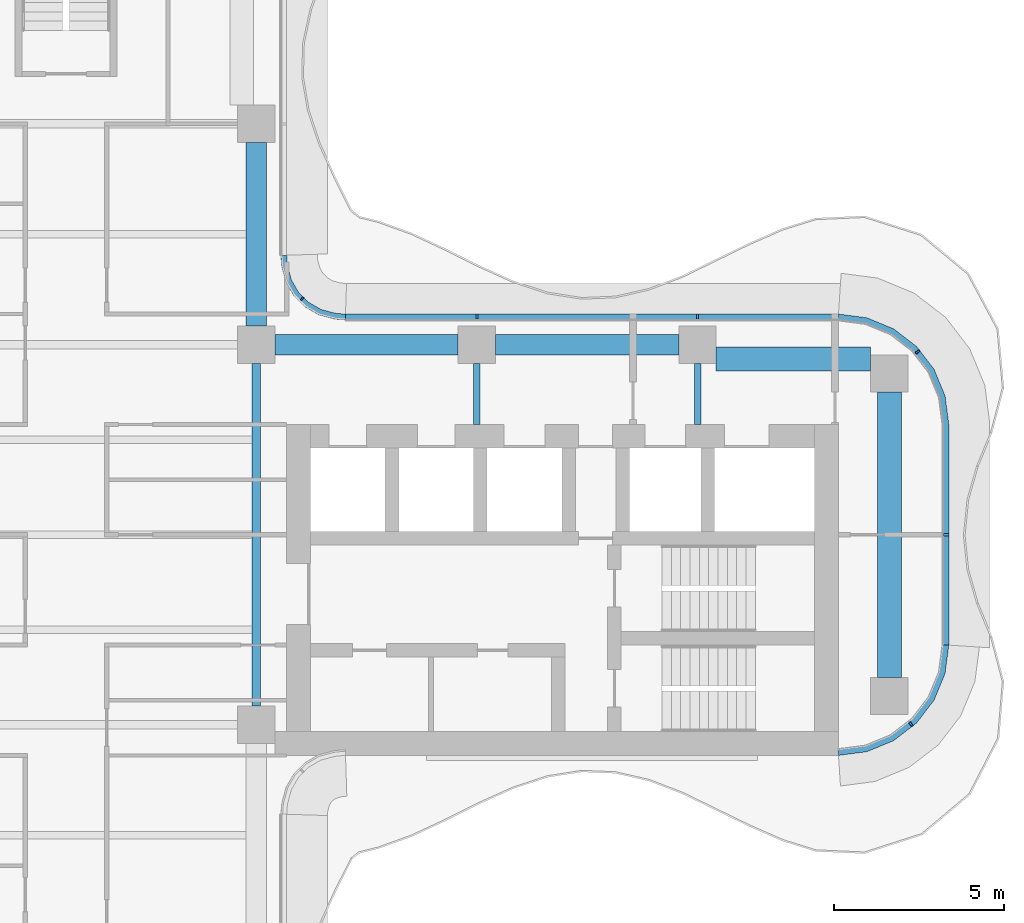
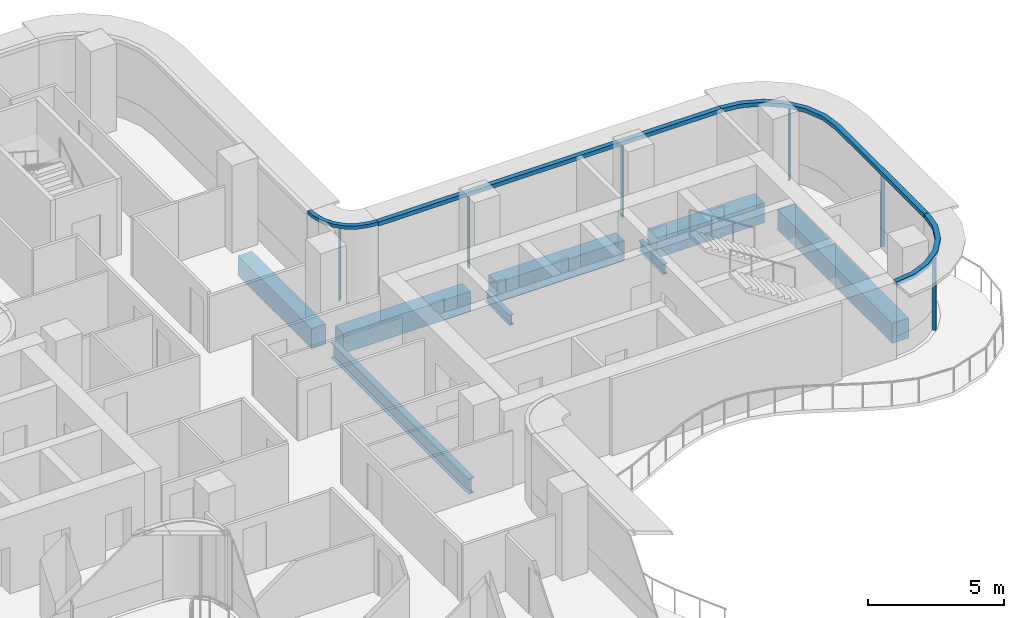
# One storey, part 6 of 16: 10 members, 8 beams, 4 elements without a shape of their own.
"""IFC4 building model written with IfcOpenShell, lengths in metres."""

import ifcopenshell
import ifcopenshell.guid

model = None  # the IFC model being written
_history = None  # IfcOwnerHistory: only IFC2X3 demands one
_inside = {}  # id of a spatial element -> (the spatial element, [elements in it])
_under = {}  # id of a project, library or spatial element -> (it, [spatial elements below it])
_declared = {}  # id of a project -> (the project, [libraries it declares])
_typed = {}  # id of a type object -> (the type object, [elements of that type])
_made_of = {}  # id of a material, layer set ... -> (it, [elements and type objects made of it])


def new_model(schema):
    """Start an empty IFC model of exactly this schema.

    Asked for "IFC4X3", IfcOpenShell would pick the latest addendum, in which some entities
    have other attributes; the version numbers below select the first issue.
    IFC2X3 requires an IfcOwnerHistory on every rooted entity: one is made here for all.
    """
    global model, _history
    if schema == "IFC4X3":
        model = ifcopenshell.file(schema_version=(4, 3, 0, 0))
    else:
        model = ifcopenshell.file(schema=schema)
    _inside.clear()
    _under.clear()
    _declared.clear()
    _typed.clear()
    _made_of.clear()
    _history = None
    if model.schema == "IFC2X3":
        org = make("IfcOrganization", Name="unknown")
        user = make(
            "IfcPersonAndOrganization",
            ThePerson=make("IfcPerson", FamilyName="unknown"),
            TheOrganization=org,
        )
        app = make(
            "IfcApplication",
            ApplicationDeveloper=org,
            Version="unknown",
            ApplicationFullName="unknown",
            ApplicationIdentifier="unknown",
        )
        _history = make(
            "IfcOwnerHistory",
            OwningUser=user,
            OwningApplication=app,
            ChangeAction="ADDED",
            CreationDate=0,
        )
    return model


def make(cls, **values):
    """One entity of the class cls with the attributes given. An attribute that is None is left unset."""
    return model.create_entity(
        cls, **{name: value for name, value in values.items() if value is not None}
    )


def rooted(cls, **values):
    """An entity with a GlobalId (a new one), such as an element, a storey or a relation."""
    return make(cls, GlobalId=ifcopenshell.guid.new(), OwnerHistory=_history, **values)


def si_unit(unit_type, name, prefix=None):
    """IfcSIUnit, for example si_unit("LENGTHUNIT", "METRE", prefix="MILLI")."""
    return make("IfcSIUnit", UnitType=unit_type, Prefix=prefix, Name=name)


def assignment(units):
    """IfcUnitAssignment: the units of a project."""
    return None if units is None else make("IfcUnitAssignment", Units=units)


def point(xyz):
    """IfcCartesianPoint."""
    return None if xyz is None else make("IfcCartesianPoint", Coordinates=xyz)


def direction(xyz):
    """IfcDirection."""
    return None if xyz is None else make("IfcDirection", DirectionRatios=xyz)


def frame(location, z_axis=None, x_axis=None):
    """IfcAxis2Placement3D, a coordinate frame: its origin and axes. An axis left out is left unset."""
    return make(
        "IfcAxis2Placement3D",
        Location=point(location),
        Axis=direction(z_axis),
        RefDirection=direction(x_axis),
    )


def frame_2d(location, x_axis=None):
    """IfcAxis2Placement2D, a coordinate frame in the plane: its origin and x axis."""
    return make(
        "IfcAxis2Placement2D", Location=point(location), RefDirection=direction(x_axis)
    )


def origin():
    """The frame at (0, 0, 0) with its axes left unset."""
    return frame((0.0, 0.0, 0.0))


def origin_2d():
    """The frame at (0, 0) in the plane with its x axis left unset."""
    return frame_2d((0.0, 0.0))


def place(relative_to, where):
    """IfcLocalPlacement: puts the frame where relative to a parent placement (None: the world)."""
    return make(
        "IfcLocalPlacement", PlacementRelTo=relative_to, RelativePlacement=where
    )


def context(
    kind, dimensions, precision=None, world=None, true_north=None, identifier=None
):
    """IfcGeometricRepresentationContext, for example the 3D "Model" context."""
    return make(
        "IfcGeometricRepresentationContext",
        ContextIdentifier=identifier,
        ContextType=kind,
        CoordinateSpaceDimension=dimensions,
        Precision=precision,
        WorldCoordinateSystem=world,
        TrueNorth=true_north,
    )


def subcontext(parent, identifier, kind, view, scale=None):
    """IfcGeometricRepresentationSubContext, for example "Body" below "Model"."""
    return make(
        "IfcGeometricRepresentationSubContext",
        ContextIdentifier=identifier,
        ContextType=kind,
        ParentContext=parent,
        TargetScale=scale,
        TargetView=view,
    )


def project(units=None, contexts=None):
    """IfcProject with its units and contexts."""
    return rooted(
        "IfcProject",
        Name="project",
        RepresentationContexts=contexts,
        UnitsInContext=assignment(units),
    )


def spatial(cls, under=None, at=None, **own):
    """A site, building, storey or space (cls), placed at a placement, below another one or the project."""
    s = rooted(cls, ObjectPlacement=at, **own)
    if under is not None:
        _under.setdefault(under.id(), (under, []))[1].append(s)
    return s


def polyline(points):
    """IfcPolyline through the points."""
    return make("IfcPolyline", Points=[point(p) for p in points])


def profile(cls, at=None, kind="AREA", **sizes):
    """A parametric profile (cls). Its sizes go by their IFC names, for example OverallWidth=200.0."""
    return make(cls, ProfileType=kind, Position=at, **sizes)


def rectangle(**sizes):
    """IfcRectangleProfileDef."""
    return profile("IfcRectangleProfileDef", **sizes)


def i_section(**sizes):
    """IfcIShapeProfileDef."""
    return profile("IfcIShapeProfileDef", **sizes)


def outline(outer, holes=None, kind="AREA"):
    """IfcArbitraryClosedProfileDef: a profile drawn as a closed curve; with holes, ...WithVoids."""
    if holes is None:
        return make("IfcArbitraryClosedProfileDef", ProfileType=kind, OuterCurve=outer)
    return make(
        "IfcArbitraryProfileDefWithVoids",
        ProfileType=kind,
        OuterCurve=outer,
        InnerCurves=holes,
    )


def extrude(swept, where, along, depth):
    """IfcExtrudedAreaSolid: the profile swept, set in the frame where, extruded along a direction by depth."""
    return make(
        "IfcExtrudedAreaSolid",
        SweptArea=swept,
        Position=where,
        ExtrudedDirection=direction(along),
        Depth=depth,
    )


def shape(context_of_items, identifier, shape_type, items):
    """IfcShapeRepresentation: the items that make up one representation, for example the "Body"."""
    return make(
        "IfcShapeRepresentation",
        ContextOfItems=context_of_items,
        RepresentationIdentifier=identifier,
        RepresentationType=shape_type,
        Items=items,
    )


def source(mapping_origin, context_of_items, identifier, shape_type, items):
    """IfcRepresentationMap: a shape defined once, which mapped items show again and again."""
    return make(
        "IfcRepresentationMap",
        MappingOrigin=mapping_origin,
        MappedRepresentation=shape(context_of_items, identifier, shape_type, items),
    )


def transform(
    local_origin,
    x_axis=None,
    y_axis=None,
    z_axis=None,
    scale=None,
    scale2=None,
    scale3=None,
    uniform=True,
):
    """IfcCartesianTransformationOperator3D, or its non-uniform kind. x_axis, y_axis, z_axis: its Axis1, 2, 3."""
    if uniform:
        return make(
            "IfcCartesianTransformationOperator3D",
            Axis1=direction(x_axis),
            Axis2=direction(y_axis),
            LocalOrigin=point(local_origin),
            Scale=scale,
            Axis3=direction(z_axis),
        )
    return make(
        "IfcCartesianTransformationOperator3DnonUniform",
        Axis1=direction(x_axis),
        Axis2=direction(y_axis),
        LocalOrigin=point(local_origin),
        Scale=scale,
        Axis3=direction(z_axis),
        Scale2=scale2,
        Scale3=scale3,
    )


def mapped(mapping_source, mapping_target):
    """IfcMappedItem: shows the shape of a source again, moved by a transform."""
    return make(
        "IfcMappedItem", MappingSource=mapping_source, MappingTarget=mapping_target
    )


def material(Name=None, Category=None):
    """IfcMaterial."""
    return make("IfcMaterial", Name=Name, Category=Category)


def layer(
    of_material, thickness, ventilated=None, Name=None, Category=None, Priority=None
):
    """IfcMaterialLayer: one layer of a wall or slab, of a material (None: an air gap)."""
    return make(
        "IfcMaterialLayer",
        Material=of_material,
        LayerThickness=thickness,
        IsVentilated=ventilated,
        Name=Name,
        Category=Category,
        Priority=Priority,
    )


def layer_set(layers, Name=None):
    """IfcMaterialLayerSet."""
    return make("IfcMaterialLayerSet", MaterialLayers=layers, LayerSetName=Name)


def material_profile(
    of_material, cross_section, Name=None, Category=None, Priority=None
):
    """IfcMaterialProfile: a cross section and its material."""
    return make(
        "IfcMaterialProfile",
        Name=Name,
        Material=of_material,
        Profile=cross_section,
        Priority=Priority,
        Category=Category,
    )


def profile_set(profiles, Name=None, composite=None):
    """IfcMaterialProfileSet."""
    return make(
        "IfcMaterialProfileSet",
        Name=Name,
        MaterialProfiles=profiles,
        CompositeProfile=composite,
    )


def made_of(thing, what):
    """Note that an element or type object is made of a material, layer set ...; save() writes the relation."""
    if what is not None:
        _made_of.setdefault(what.id(), (what, []))[1].append(thing)
    return thing


def type_object(cls, material=None, **own):
    """A type object (cls), such as IfcWallType, which elements share."""
    return made_of(rooted(cls, **own), material)


def element(
    cls,
    number,
    at=None,
    inside=None,
    cuts=None,
    type_object=None,
    material=None,
    context=None,
    identifier="Body",
    shape_type=None,
    held_by="IfcProductDefinitionShape",
    body=None,
    shapes=None,
    **own,
):
    """One element of the class cls, such as IfcWall. Its Tag is "e" and its number.

    at: its placement. inside: the storey or other place that contains it. cuts: it is an
    opening in that element (IfcRelVoidsElement). A single representation is given by context,
    identifier, shape_type and body (its items); several are given by shapes. held_by: the class
    of the entity that holds the representations. save() writes the other relations.
    """
    e = rooted(cls, Tag="e%d" % number, ObjectPlacement=at, **own)
    if body is not None:
        shapes = [shape(context, identifier, shape_type, body)]
    if shapes is not None:
        e.Representation = make(held_by, Representations=shapes)
    if inside is not None:
        _inside.setdefault(inside.id(), (inside, []))[1].append(e)
    if cuts is not None:
        rooted(
            "IfcRelVoidsElement", RelatingBuildingElement=cuts, RelatedOpeningElement=e
        )
    if type_object is not None:
        _typed.setdefault(type_object.id(), (type_object, []))[1].append(e)
    return made_of(e, material)


def aggregate(whole, parts):
    """IfcRelAggregates: a whole, such as a stair, and the parts it consists of."""
    return rooted("IfcRelAggregates", RelatingObject=whole, RelatedObjects=parts)


def save(model, path):
    """Write the relations noted so far, then the file.

    IfcRelAggregates (storeys below a building ...), IfcRelContainedInSpatialStructure (elements
    in a storey), IfcRelDefinesByType, IfcRelAssociatesMaterial and IfcRelDeclares: one each for
    every whole, place, type object, material and project.
    """
    for whole, parts in _under.values():
        aggregate(whole, parts)
    for where, things in _inside.values():
        rooted(
            "IfcRelContainedInSpatialStructure",
            RelatedElements=things,
            RelatingStructure=where,
        )
    for kind, things in _typed.values():
        rooted("IfcRelDefinesByType", RelatedObjects=things, RelatingType=kind)
    for what, things in _made_of.values():
        rooted("IfcRelAssociatesMaterial", RelatedObjects=things, RelatingMaterial=what)
    for by, libraries in _declared.values():
        rooted("IfcRelDeclares", RelatingContext=by, RelatedDefinitions=libraries)
    model.write(path)


model = new_model("IFC4")

# Units and contexts
model_context = context("Model", 3, precision=1e-05, world=origin(), true_north=direction((0.0, 1.0)))
body_context = subcontext(model_context, "Body", "Model", "MODEL_VIEW")
ifc_project = project(units=[si_unit("LENGTHUNIT", "METRE"), si_unit("AREAUNIT", "SQUARE_METRE"), si_unit("VOLUMEUNIT", "CUBIC_METRE"), si_unit("PLANEANGLEUNIT", "RADIAN"), si_unit("MASSUNIT", "GRAM", prefix="KILO")], contexts=[model_context])

# Site, building, storey
site_placement = place(None, origin())
site = spatial("IfcSite", under=ifc_project, at=site_placement, CompositionType="ELEMENT")
building_placement = place(site_placement, origin())
building = spatial("IfcBuilding", under=site, at=building_placement, Name="Trellis Farm Tower", CompositionType="ELEMENT")
storey_placement = place(building_placement, frame((0.0, 0.0, 267.5)))
storey = spatial("IfcBuildingStorey", under=building, at=storey_placement, Name="L60", CompositionType="ELEMENT", Elevation=267.5)

# Beams
ifc_material_1 = material(Name="Steel S355", Category="steel")
ifc_material_profile_1 = material_profile(ifc_material_1, i_section(OverallWidth=0.253662109375, OverallDepth=0.68359375, WebThickness=0.012451171875, FlangeThickness=0.021728515625, FilletRadius=0.01513671875, at=origin_2d()), Name="UB 686x254x140")
ifc_profile_set_1 = profile_set([ifc_material_profile_1], Name="Steel S355")
beam_type_1 = type_object("IfcBeamType", Name="UB 686x254x140", PredefinedType="BEAM", material=ifc_profile_set_1)
shared_shape_1 = source(origin(), body_context, "Body", "SweptSolid", [
    extrude(i_section(OverallWidth=0.253662109375, OverallDepth=0.68359375, WebThickness=0.012451171875, FlangeThickness=0.021728515625, FilletRadius=0.01513671875, at=origin_2d()), origin(), (0.0, 0.0, 1.0), 10.10009765625),
])
beam_1_placement = place(storey_placement, frame((5.60009765625, -5.050048828125, -0.541748046875), z_axis=(0.0, 1.0, 0.0), x_axis=(-1.0, 0.0, 0.0)))
element("IfcBeam", 1, at=beam_1_placement, inside=storey, type_object=beam_type_1, Name="Girder", PredefinedType="BEAM", context=body_context, shape_type="MappedRepresentation", body=[
    mapped(shared_shape_1, transform((0.0, 0.0, 0.0))),
])
ifc_material_profile_2 = material_profile(ifc_material_1, i_section(OverallWidth=0.1904296875, OverallDepth=0.45703125, WebThickness=0.009033203125, FlangeThickness=0.014404296875, FilletRadius=0.01025390625, at=origin_2d()), Name="UB 457x191x74")
ifc_profile_set_2 = profile_set([ifc_material_profile_2], Name="Steel S355")
beam_type_2 = type_object("IfcBeamType", Name="UB 457x191x74", PredefinedType="BEAM", material=ifc_profile_set_2)
shared_shape_2 = source(origin(), body_context, "Body", "SweptSolid", [
    extrude(i_section(OverallWidth=0.1904296875, OverallDepth=0.45703125, WebThickness=0.009033203125, FlangeThickness=0.014404296875, FilletRadius=0.01025390625, at=origin_2d()), origin(), (0.0, 0.0, 1.0), 1.800048828125),
])
for number, where, z_axis, x_axis, name in (
    (2, (12.10009765625, 3.25, -0.428466796875), (0.0, 1.0, 0.0), (-1.0, 0.0, 0.0), "Girder"),
    (3, (18.60009765625, 3.25, -0.428466796875), (0.0, 1.0, 0.0), (-1.0, 0.0, 0.0), "Girder"),
):
    element("IfcBeam", number, at=place(storey_placement, frame(where, z_axis=z_axis, x_axis=x_axis)), inside=storey, type_object=beam_type_2, Name=name, PredefinedType="BEAM", context=body_context, shape_type="MappedRepresentation", body=[
        mapped(shared_shape_2, transform((0.0, 0.0, 0.0))),
    ])
ifc_material_2 = material(Name="Concrete C60/75", Category="concrete")
ifc_material_profile_3 = material_profile(ifc_material_2, rectangle(XDim=0.60009765625, YDim=0.89990234375, at=origin_2d()), Name="RC spandrel beam 600x900 C60/75")
ifc_profile_set_3 = profile_set([ifc_material_profile_3], Name="Concrete C60/75")
beam_type_3 = type_object("IfcBeamType", Name="RC spandrel beam 600x900 C60/75", PredefinedType="SPANDREL", material=ifc_profile_set_3)
shared_shape_3 = source(origin(), body_context, "Body", "SweptSolid", [
    extrude(rectangle(XDim=0.60009765625, YDim=0.89990234375, at=origin_2d()), origin(), (0.0, 0.0, 1.0), 5.400146484375),
])
for number, where, z_axis, x_axis, name in (
    (4, (6.14990234375, 5.60009765625, -0.64990234375), (1.0, 0.0, 0.0), (0.0, 1.0, 0.0), "Girder"),
    (5, (12.64990234375, 5.60009765625, -0.64990234375), (1.0, 0.0, 0.0), (0.0, 1.0, 0.0), "Girder"),
    (6, (5.60009765625, 6.14990234375, -0.64990234375), (0.0, 1.0, 0.0), (-1.0, 0.0, 0.0), "Girder"),
):
    element("IfcBeam", number, at=place(storey_placement, frame(where, z_axis=z_axis, x_axis=x_axis)), inside=storey, type_object=beam_type_3, Name=name, PredefinedType="SPANDREL", context=body_context, shape_type="MappedRepresentation", body=[
        mapped(shared_shape_3, transform((0.0, 0.0, 0.0))),
    ])
ifc_material_profile_4 = material_profile(ifc_material_2, rectangle(XDim=0.699951171875, YDim=0.89990234375, at=origin_2d()), Name="RC spandrel beam 700x900 C60/75")
ifc_profile_set_4 = profile_set([ifc_material_profile_4], Name="Concrete C60/75")
beam_type_4 = type_object("IfcBeamType", Name="RC spandrel beam 700x900 C60/75", PredefinedType="SPANDREL", material=ifc_profile_set_4)
shared_shape_4 = source(origin(), body_context, "Body", "SweptSolid", [
    extrude(rectangle(XDim=0.699951171875, YDim=0.89990234375, at=origin_2d()), origin(), (0.0, 0.0, 1.0), 8.39990234375),
])
beam_2_placement = place(storey_placement, frame((24.25, -4.199951171875, -0.64990234375), z_axis=(0.0, 1.0, 0.0), x_axis=(-1.0, 0.0, 0.0)))
element("IfcBeam", 7, at=beam_2_placement, inside=storey, type_object=beam_type_4, Name="Girder", PredefinedType="SPANDREL", context=body_context, shape_type="MappedRepresentation", body=[
    mapped(shared_shape_4, transform((0.0, 0.0, 0.0))),
])
shared_shape_5 = source(origin(), body_context, "Body", "SweptSolid", [
    extrude(rectangle(XDim=0.699951171875, YDim=0.89990234375, at=origin_2d()), origin(), (0.0, 0.0, 1.0), 4.550048828125),
])
beam_3_placement = place(storey_placement, frame((19.14990234375, 5.175048828125, -0.64990234375), z_axis=(1.0, 0.0, 0.0), x_axis=(0.0, 1.0, 0.0)))
element("IfcBeam", 8, at=beam_3_placement, inside=storey, type_object=beam_type_4, Name="Girder", PredefinedType="SPANDREL", context=body_context, shape_type="MappedRepresentation", body=[
    mapped(shared_shape_5, transform((0.0, 0.0, 0.0))),
])

# Curtain wall, member
ifc_material_3 = material(Name="Aluminium and glass curtain wall", Category="aluminium")
ifc_layer_1 = layer(ifc_material_3, 0.166015625)
ifc_layer_set_1 = layer_set([ifc_layer_1], Name="WINTER GARDEN CURTAIN WALL CW3")
curtain_wall_type_1 = type_object("IfcCurtainWallType", Name="WINTER GARDEN CURTAIN WALL CW3", PredefinedType="NOTDEFINED", material=ifc_layer_set_1)
placement_1 = place(storey_placement, origin())
curtain_wall_1 = element("IfcCurtainWall", 9, at=placement_1, inside=storey, type_object=curtain_wall_type_1, Name="CW3 003", PredefinedType="NOTDEFINED")
ifc_material_4 = material(Name="Aluminium extrusion 6063-T6", Category="aluminium")
ifc_layer_2 = layer(ifc_material_4, 0.169921875)
ifc_layer_set_2 = layer_set([ifc_layer_2], Name="Aluminium extrusion 6063-T6")
member_type_1 = type_object("IfcMemberType", Name="CW3 TRANSOM 170x150", PredefinedType="USERDEFINED", material=ifc_layer_set_2)
shared_shape_6 = source(origin(), body_context, "Body", "SweptSolid", [
    extrude(outline(polyline([(8.2314453125, 6.5), (8.01953125, 6.513916015625), (7.91552734375, 6.527587890625), (7.508544921875, 6.63671875), (7.144287109375, 6.846923828125), (6.846923828125, 7.144287109375), (6.63671875, 7.508544921875), (6.527587890625, 7.91552734375), (6.513916015625, 8.01953125), (6.5, 8.2314453125), (6.330078125, 8.225830078125), (6.3447265625, 8.0029296875), (6.360595703125, 7.88232421875), (6.478271484375, 7.44287109375), (6.7109375, 7.0400390625), (7.0400390625, 6.7109375), (7.44287109375, 6.478271484375), (7.88232421875, 6.360595703125), (8.0029296875, 6.3447265625), (8.225830078125, 6.330078125), (8.2314453125, 6.5)])), origin(), (0.0, 0.0, 1.0), 0.14990234375),
])
member_1_placement = place(storey_placement, frame((0.0, 0.0, 3.300048828125)))
member_1 = element("IfcMember", 10, at=member_1_placement, type_object=member_type_1, Name="TR3 003", ObjectType="TRANSOM", PredefinedType="USERDEFINED", context=body_context, shape_type="MappedRepresentation", body=[
    mapped(shared_shape_6, transform((0.0, 0.0, 0.0))),
])

ifc_layer_3 = layer(ifc_material_3, 0.18994140625)
ifc_layer_set_3 = layer_set([ifc_layer_3], Name="RIBBON CURTAIN WALL CW1")
curtain_wall_type_2 = type_object("IfcCurtainWallType", Name="RIBBON CURTAIN WALL CW1", PredefinedType="NOTDEFINED", material=ifc_layer_set_3)
curtain_wall_2 = element("IfcCurtainWall", 11, at=placement_1, inside=storey, type_object=curtain_wall_type_2, Name="CW1 006", PredefinedType="NOTDEFINED")
ifc_material_profile_5 = material_profile(ifc_material_4, rectangle(XDim=0.06005859375, YDim=0.14990234375, at=origin_2d()), Name="MULLION 60x150")
ifc_profile_set_5 = profile_set([ifc_material_profile_5], Name="Aluminium extrusion 6063-T6")
member_type_2 = type_object("IfcMemberType", Name="CW1 MULLION 60x150", PredefinedType="MULLION", material=ifc_profile_set_5)
shared_shape_7 = source(origin(), body_context, "Body", "SweptSolid", [
    extrude(rectangle(XDim=0.06005859375, YDim=0.14990234375, at=origin_2d()), origin(), (0.0, 0.0, 1.0), 3.27001953125),
])
member_2_placement = place(storey_placement, frame((24.885498046875, -5.578369140625, 0.0), z_axis=(0.0, 0.0, 1.0), x_axis=(0.793353340291, 0.608761429009, 0.0)))
member_2 = element("IfcMember", 12, at=member_2_placement, type_object=member_type_2, Name="MU1 006-01", PredefinedType="MULLION", context=body_context, shape_type="MappedRepresentation", body=[
    mapped(shared_shape_7, transform((0.0, 0.0, 0.0))),
])

# Curtain wall, members
curtain_wall_3 = element("IfcCurtainWall", 13, at=placement_1, inside=storey, type_object=curtain_wall_type_2, Name="CW1 007", PredefinedType="NOTDEFINED")
member_3_placement = place(storey_placement, frame((25.925048828125, 0.0, 0.0), z_axis=(0.0, 0.0, 1.0), x_axis=(0.0, 1.0, 0.0)))
member_3 = element("IfcMember", 14, at=member_3_placement, type_object=member_type_2, Name="MU1 007-01", PredefinedType="MULLION", context=body_context, shape_type="MappedRepresentation", body=[
    mapped(shared_shape_7, transform((0.0, 0.0, 0.0))),
])
member_4_placement = place(storey_placement, frame((25.078369140625, 5.385498046875, 0.0), z_axis=(0.0, 0.0, 1.0), x_axis=(-0.608761429009, 0.793353340291, 0.0)))
member_4 = element("IfcMember", 15, at=member_4_placement, type_object=member_type_2, Name="MU1 007-02", PredefinedType="MULLION", context=body_context, shape_type="MappedRepresentation", body=[
    mapped(shared_shape_7, transform((0.0, 0.0, 0.0))),
])

curtain_wall_4 = element("IfcCurtainWall", 16, at=placement_1, inside=storey, type_object=curtain_wall_type_2, Name="CW1 008", PredefinedType="NOTDEFINED")
member_5_placement = place(storey_placement, frame((18.60009765625, 6.425048828125, 0.0), z_axis=(0.0, 0.0, 1.0), x_axis=(-1.0, 0.0, 0.0)))
member_5 = element("IfcMember", 17, at=member_5_placement, type_object=member_type_2, Name="MU1 008-01", PredefinedType="MULLION", context=body_context, shape_type="MappedRepresentation", body=[
    mapped(shared_shape_7, transform((0.0, 0.0, 0.0))),
])
member_6_placement = place(storey_placement, frame((12.10009765625, 6.425048828125, 0.0), z_axis=(0.0, 0.0, 1.0), x_axis=(-1.0, 0.0, 0.0)))
member_6 = element("IfcMember", 18, at=member_6_placement, type_object=member_type_2, Name="MU1 008-02", PredefinedType="MULLION", context=body_context, shape_type="MappedRepresentation", body=[
    mapped(shared_shape_7, transform((0.0, 0.0, 0.0))),
])

# Member
ifc_material_profile_6 = material_profile(ifc_material_4, rectangle(XDim=0.050048828125, YDim=0.1201171875, at=origin_2d()), Name="MULLION 50x120")
ifc_profile_set_6 = profile_set([ifc_material_profile_6], Name="Aluminium extrusion 6063-T6")
member_type_3 = type_object("IfcMemberType", Name="CW3 MULLION 50x120", PredefinedType="MULLION", material=ifc_profile_set_6)
shared_shape_8 = source(origin(), body_context, "Body", "SweptSolid", [
    extrude(rectangle(XDim=0.050048828125, YDim=0.1201171875, at=origin_2d()), origin(), (0.0, 0.0, 1.0), 3.300048828125),
])
member_7_placement = place(storey_placement, frame((6.953125, 6.953125, 0.0), z_axis=(0.0, 0.0, 1.0), x_axis=(-0.707106781187, 0.707106781187, 0.0)))
member_7 = element("IfcMember", 19, at=member_7_placement, type_object=member_type_3, Name="MU3 003-01", PredefinedType="MULLION", context=body_context, shape_type="MappedRepresentation", body=[
    mapped(shared_shape_8, transform((0.0, 0.0, 0.0))),
])

aggregate(curtain_wall_1, [member_7, member_1])

ifc_layer_4 = layer(ifc_material_4, 0.199951171875)
ifc_layer_set_4 = layer_set([ifc_layer_4], Name="Aluminium extrusion 6063-T6")
member_type_4 = type_object("IfcMemberType", Name="CW1 TRANSOM 200x180", PredefinedType="USERDEFINED", material=ifc_layer_set_4)
shared_shape_9 = source(origin(), body_context, "Body", "SweptSolid", [
    extrude(outline(polyline([(22.75, -6.5), (23.591064453125, -6.38916015625), (24.375, -6.064697265625), (25.048095703125, -5.548095703125), (25.564697265625, -4.875), (25.88916015625, -4.091064453125), (26.0, -3.25), (25.800048828125, -3.23681640625), (25.6943359375, -4.0390625), (25.389892578125, -4.774169921875), (24.905517578125, -5.405517578125), (24.274169921875, -5.889892578125), (23.5390625, -6.1943359375), (22.73681640625, -6.300048828125), (22.75, -6.5)])), origin(), (0.0, 0.0, 1.0), 0.179931640625),
])
placement_2 = place(storey_placement, frame((0.0, 0.0, 3.27001953125)))
member_8 = element("IfcMember", 20, at=placement_2, type_object=member_type_4, Name="TR1 006", ObjectType="TRANSOM", PredefinedType="USERDEFINED", context=body_context, shape_type="MappedRepresentation", body=[
    mapped(shared_shape_9, transform((0.0, 0.0, 0.0))),
])

aggregate(curtain_wall_2, [member_2, member_8])

shared_shape_10 = source(origin(), body_context, "Body", "SweptSolid", [
    extrude(outline(polyline([(22.75, 6.5), (8.2314453125, 6.5), (8.224853515625, 6.300048828125), (22.73681640625, 6.300048828125), (22.75, 6.5)])), origin(), (0.0, 0.0, 1.0), 0.179931640625),
])
member_9 = element("IfcMember", 21, at=placement_2, type_object=member_type_4, Name="TR1 008", ObjectType="TRANSOM", PredefinedType="USERDEFINED", context=body_context, shape_type="MappedRepresentation", body=[
    mapped(shared_shape_10, transform((0.0, 0.0, 0.0))),
])

aggregate(curtain_wall_4, [member_5, member_6, member_9])

shared_shape_11 = source(origin(), body_context, "Body", "SweptSolid", [
    extrude(outline(polyline([(26.0, -3.25), (26.0, 3.25), (25.88916015625, 4.091064453125), (25.564697265625, 4.875), (25.048095703125, 5.548095703125), (24.375, 6.064697265625), (23.591064453125, 6.38916015625), (22.75, 6.5), (22.73681640625, 6.300048828125), (23.5390625, 6.1943359375), (24.274169921875, 5.889892578125), (24.905517578125, 5.405517578125), (25.389892578125, 4.774169921875), (25.6943359375, 4.0390625), (25.800048828125, 3.23681640625), (25.800048828125, -3.23681640625), (26.0, -3.25)])), origin(), (0.0, 0.0, 1.0), 0.179931640625),
])
member_10 = element("IfcMember", 22, at=placement_2, type_object=member_type_4, Name="TR1 007", ObjectType="TRANSOM", PredefinedType="USERDEFINED", context=body_context, shape_type="MappedRepresentation", body=[
    mapped(shared_shape_11, transform((0.0, 0.0, 0.0))),
])

aggregate(curtain_wall_3, [member_3, member_4, member_10])

save(model, "model.ifc")
